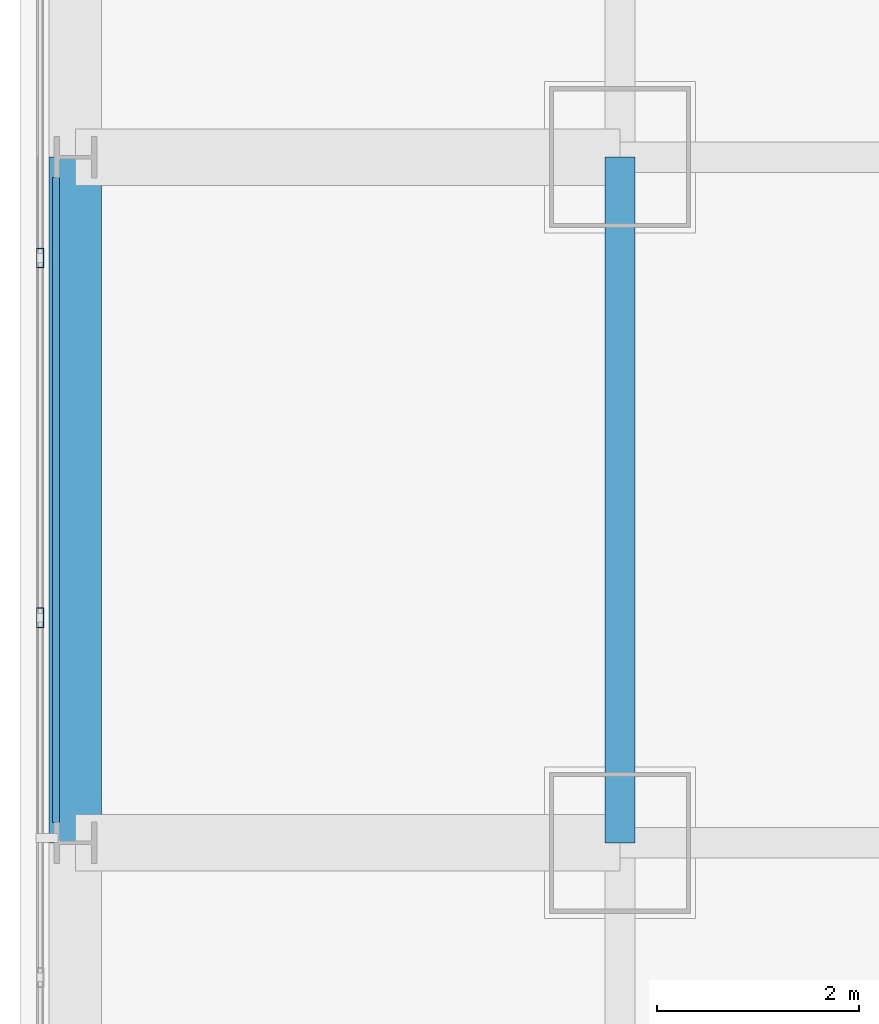
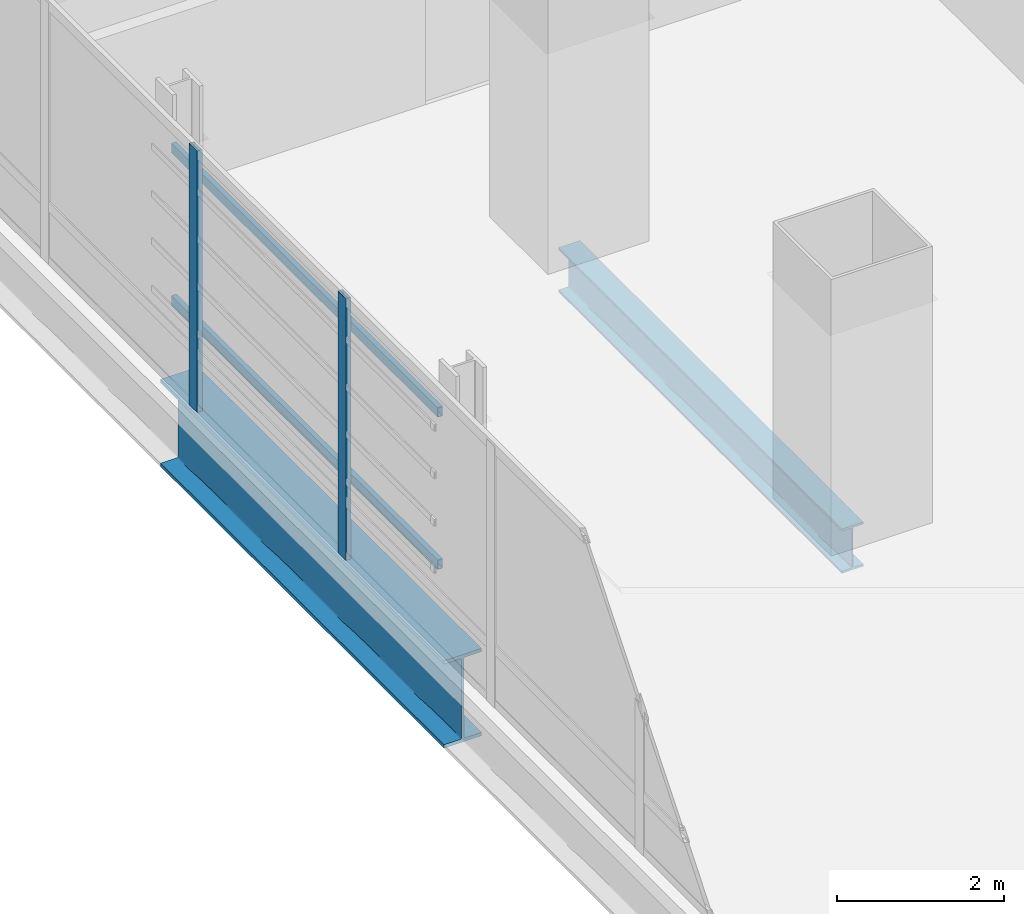
# One storey, part 10 of 38: 4 members, 2 beams, 1 element without a shape of its own.
"""IFC4 building model written with IfcOpenShell, lengths in metres."""

from ifc_helpers import new_model, si_unit, direction, frame, origin, origin_2d, place, context, subcontext, project, spatial, hollow_rectangle, i_section, extrude, material, material_profile, profile_set, type_object, element, aggregate, save


model = new_model("IFC4")

# Units and contexts
model_context = context("Model", 3, precision=1e-05, world=origin(), true_north=direction((0.0, 1.0)))
body_context = subcontext(model_context, "Body", "Model", "MODEL_VIEW")
ifc_project = project(units=[si_unit("LENGTHUNIT", "METRE"), si_unit("AREAUNIT", "SQUARE_METRE"), si_unit("VOLUMEUNIT", "CUBIC_METRE"), si_unit("PLANEANGLEUNIT", "RADIAN"), si_unit("MASSUNIT", "GRAM", prefix="KILO")], contexts=[model_context])

# Site, building, storey
site_placement = place(None, origin())
site = spatial("IfcSite", under=ifc_project, at=site_placement, CompositionType="ELEMENT")
building_placement = place(site_placement, origin())
building = spatial("IfcBuilding", under=site, at=building_placement, Name="Punatoya Terracotta Tower", CompositionType="ELEMENT")
storey_placement = place(building_placement, frame((0.0, 0.0, 160.050048828125)))
storey = spatial("IfcBuildingStorey", under=building, at=storey_placement, Name="L37", CompositionType="ELEMENT", Elevation=160.050048828125)

# Beams
ifc_material_1 = material(Name="Steel S355", Category="steel")
ifc_material_profile_1 = material_profile(ifc_material_1, i_section(OverallWidth=0.300048828125, OverallDepth=0.64990234375, WebThickness=0.01611328125, FlangeThickness=0.031005859375, FilletRadius=0.01806640625, at=origin_2d()))
ifc_profile_set_1 = profile_set([ifc_material_profile_1], Name="Steel S355")
beam_type_1 = type_object("IfcBeamType", Name="BM-PRI-650", PredefinedType="BEAM", material=ifc_profile_set_1)
beam_1_placement = place(storey_placement, frame((-19.10009765625, -3.39990234375, -0.545166015625), z_axis=(0.0, 1.0, 0.0), x_axis=(-1.0, 0.0, 0.0)))
element("IfcBeam", 1, at=beam_1_placement, inside=storey, type_object=beam_type_1, Name="BM-L37-RG-W2", PredefinedType="BEAM", context=body_context, shape_type="SweptSolid", body=[
    extrude(i_section(OverallWidth=0.300048828125, OverallDepth=0.64990234375, WebThickness=0.01611328125, FlangeThickness=0.031005859375, FilletRadius=0.01806640625, at=origin_2d()), origin(), (0.0, 0.0, 1.0), 6.7998046875),
])
ifc_material_2 = material(Name="Steel S460", Category="steel")
ifc_material_profile_2 = material_profile(ifc_material_2, i_section(OverallWidth=0.52001953125, OverallDepth=1.280029296875, WebThickness=0.031982421875, FlangeThickness=0.050048828125, FilletRadius=0.01806640625, at=origin_2d()))
ifc_profile_set_2 = profile_set([ifc_material_profile_2], Name="Steel S460")
beam_type_2 = type_object("IfcBeamType", Name="BM-TG-NCK", PredefinedType="BEAM", material=ifc_profile_set_2)
beam_2_placement = place(storey_placement, frame((-24.5, -3.39990234375, -0.860107421875), z_axis=(0.0, 1.0, 0.0), x_axis=(-1.0, 0.0, 0.0)))
element("IfcBeam", 2, at=beam_2_placement, inside=storey, type_object=beam_type_2, Name="BM-L37-PER-W2", PredefinedType="BEAM", context=body_context, shape_type="SweptSolid", body=[
    extrude(i_section(OverallWidth=0.52001953125, OverallDepth=1.280029296875, WebThickness=0.031982421875, FlangeThickness=0.050048828125, FilletRadius=0.01806640625, at=origin_2d()), origin(), (0.0, 0.0, 1.0), 6.7998046875),
])

# Curtain wall, members
ifc_material_3 = material(Name="Aluminium 6063-T6 + Double Low-E Glass", Category="aluminium")
curtain_wall_type = type_object("IfcCurtainWallType", Name="CW-M2", PredefinedType="NOTDEFINED", material=ifc_material_3)
curtain_wall_placement = place(storey_placement, origin())
curtain_wall = element("IfcCurtainWall", 3, at=curtain_wall_placement, inside=storey, type_object=curtain_wall_type, Name="L37 Curtain Wall CW-L37-W13-1", PredefinedType="NOTDEFINED")
ifc_material_4 = material(Name="Aluminium 6063-T6", Category="aluminium")
ifc_material_profile_3 = material_profile(ifc_material_4, hollow_rectangle(XDim=0.072021484375, YDim=0.195068359375, WallThickness=0.00439453125, at=origin_2d()))
ifc_profile_set_3 = profile_set([ifc_material_profile_3], Name="Aluminium 6063-T6")
member_type_1 = type_object("IfcMemberType", Name="CW-MUL-M2", PredefinedType="MULLION", material=ifc_profile_set_3)
member_1_placement = place(storey_placement, frame((-24.85009765625, 2.39990234375, 0.0), z_axis=(0.0, 0.0, 1.0), x_axis=(1.0, 0.0, 0.0)))
member_1 = element("IfcMember", 4, at=member_1_placement, type_object=member_type_1, Name="CW-L37-W13-1 Mullion 05", PredefinedType="MULLION", context=body_context, shape_type="SweptSolid", body=[
    extrude(hollow_rectangle(XDim=0.072021484375, YDim=0.195068359375, WallThickness=0.00439453125, at=origin_2d()), origin(), (0.0, 0.0, 1.0), 3.829833984375),
])
member_2_placement = place(storey_placement, frame((-24.85009765625, -1.16748046875, 0.0), z_axis=(0.0, 0.0, 1.0), x_axis=(1.0, 0.0, 0.0)))
member_2 = element("IfcMember", 5, at=member_2_placement, type_object=member_type_1, Name="CW-L37-W13-1 Mullion 06", PredefinedType="MULLION", context=body_context, shape_type="SweptSolid", body=[
    extrude(hollow_rectangle(XDim=0.072021484375, YDim=0.195068359375, WallThickness=0.00439453125, at=origin_2d()), origin(), (0.0, 0.0, 1.0), 3.829833984375),
])
aggregate(curtain_wall, [member_1, member_2])

# Members
ifc_material_profile_4 = material_profile(ifc_material_1, hollow_rectangle(XDim=0.070068359375, YDim=0.139892578125, WallThickness=0.006103515625, at=origin_2d()))
ifc_profile_set_4 = profile_set([ifc_material_profile_4], Name="Steel S355")
member_type_2 = type_object("IfcMemberType", Name="MEM-BAG-RAIL", PredefinedType="USERDEFINED", material=ifc_profile_set_4)
for number, where, z_axis, x_axis, name in (
    (6, (-24.694580078125, -3.196044921875, 1.050048828125), (0.0, 1.0, 0.0), (-1.0, 0.0, 0.0), "L37 Terracotta Baguette Carrier Rail BAG-L37-W-R1"),
    (7, (-24.694580078125, -3.196044921875, 3.280029296875), (0.0, 1.0, 0.0), (-1.0, 0.0, 0.0), "L37 Terracotta Baguette Carrier Rail BAG-L37-W-R2"),
):
    element("IfcMember", number, at=place(storey_placement, frame(where, z_axis=z_axis, x_axis=x_axis)), inside=storey, type_object=member_type_2, Name=name, ObjectType="BAGUETTE", PredefinedType="USERDEFINED", context=body_context, shape_type="SweptSolid", body=[
        extrude(hollow_rectangle(XDim=0.070068359375, YDim=0.139892578125, WallThickness=0.006103515625, at=origin_2d()), origin(), (0.0, 0.0, 1.0), 6.39208984375),
    ])

save(model, "model.ifc")
